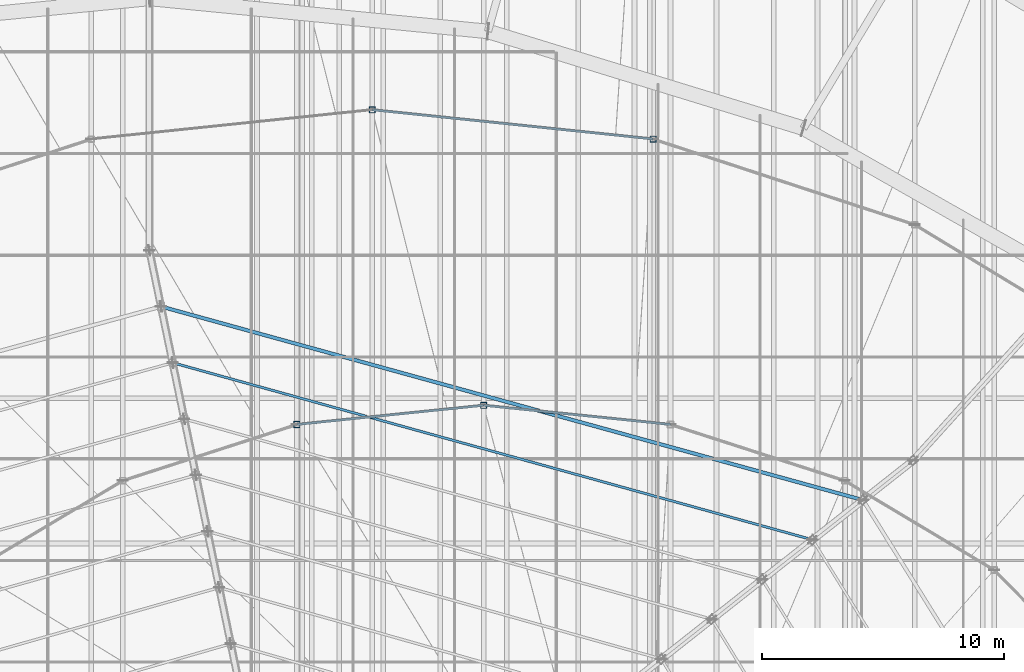
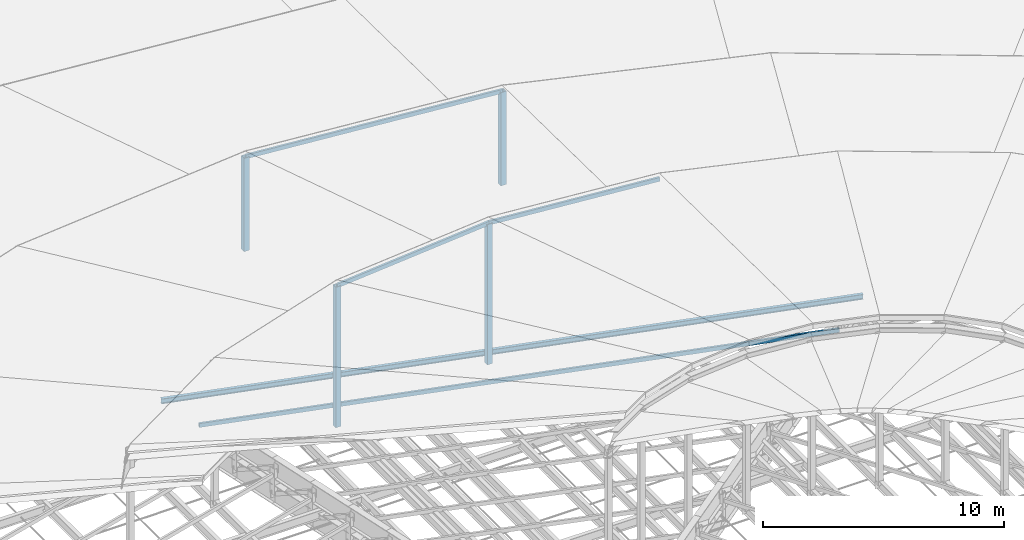
# One storey, part 118 of 184: 9 members.
"""IFC4 building model written with IfcOpenShell, lengths in metres."""

from ifc_helpers import new_model, si_unit, direction, frame, origin, origin_2d, place, context, subcontext, project, spatial, hollow_rectangle, i_section, extrude, material, material_profile, profile_set, type_object, element, save


model = new_model("IFC4")

# Units and contexts
model_context = context("Model", 3, precision=1e-05, world=origin(), true_north=direction((0.0, 1.0)))
body_context = subcontext(model_context, "Body", "Model", "MODEL_VIEW")
ifc_project = project(units=[si_unit("LENGTHUNIT", "METRE"), si_unit("AREAUNIT", "SQUARE_METRE"), si_unit("VOLUMEUNIT", "CUBIC_METRE"), si_unit("PLANEANGLEUNIT", "RADIAN"), si_unit("MASSUNIT", "GRAM", prefix="KILO")], contexts=[model_context])

# Site, building, storey
site_placement = place(None, origin())
site = spatial("IfcSite", under=ifc_project, at=site_placement, CompositionType="ELEMENT")
building_placement = place(site_placement, origin())
building = spatial("IfcBuilding", under=site, at=building_placement, Name="Kalgoora Escarpment Arena", CompositionType="ELEMENT")
storey_placement = place(building_placement, frame((0.0, 0.0, 27.60009765625)))
storey = spatial("IfcBuildingStorey", under=building, at=storey_placement, Name="Roof Level", CompositionType="ELEMENT", Elevation=27.60009765625)

# Members
ifc_material_1 = material(Name="Structural steel C450 (450 MPa)", Category="steel")
ifc_material_profile_1 = material_profile(ifc_material_1, hollow_rectangle(XDim=0.25, YDim=0.25, WallThickness=0.012451171875, at=origin_2d()))
ifc_profile_set_1 = profile_set([ifc_material_profile_1], Name="Structural steel C450 (450 MPa)")
member_type_1 = type_object("IfcMemberType", Name="MEM-PETAL-POST", PredefinedType="POST", material=ifc_profile_set_1)
for number, where, z_axis, x_axis, name in (
    (1, (113.195068359375, 98.19384765625, -1.02001953125), (0.0, 0.0, 1.0), (1.0, 0.0, 0.0), "Petal RP3 vertical support post S06"),
    (2, (101.60009765625, 99.39990234375, -1.02001953125), (0.0, 0.0, 1.0), (1.0, 0.0, 0.0), "Petal RP3 vertical support post S07"),
):
    element("IfcMember", number, at=place(storey_placement, frame(where, z_axis=z_axis, x_axis=x_axis)), inside=storey, type_object=member_type_1, Name=name, PredefinedType="POST", context=body_context, shape_type="SweptSolid", body=[
        extrude(hollow_rectangle(XDim=0.25, YDim=0.25, WallThickness=0.012451171875, at=origin_2d()), origin(), (0.0, 0.0, 1.0), 4.724853515625),
    ])
for number, where, z_axis, x_axis, name in (
    (3, (106.199951171875, 87.199951171875, -0.960205078125), (0.0, 0.0, 1.0), (1.0, 0.0, 0.0), "Petal RP4 vertical support post S07"),
    (4, (98.4873046875, 86.409423828125, -0.960205078125), (0.0, 0.0, 1.0), (1.0, 0.0, 0.0), "Petal RP4 vertical support post S08"),
):
    element("IfcMember", number, at=place(storey_placement, frame(where, z_axis=z_axis, x_axis=x_axis)), inside=storey, type_object=member_type_1, Name=name, PredefinedType="POST", context=body_context, shape_type="SweptSolid", body=[
        extrude(hollow_rectangle(XDim=0.25, YDim=0.25, WallThickness=0.012451171875, at=origin_2d()), origin(), (0.0, 0.0, 1.0), 7.105224609375),
    ])
ifc_material_2 = material(Name="Structural steel C350 (350 MPa)", Category="steel")
ifc_material_profile_2 = material_profile(ifc_material_2, hollow_rectangle(XDim=0.10009765625, YDim=0.199951171875, WallThickness=0.009033203125, at=origin_2d()))
ifc_profile_set_2 = profile_set([ifc_material_profile_2], Name="Structural steel C350 (350 MPa)")
member_type_2 = type_object("IfcMemberType", Name="MEM-PURLIN-RHS", PredefinedType="PURLIN", material=ifc_profile_set_2)
member_1_placement = place(storey_placement, frame((119.777587890625, 81.6494140625, -0.68017578125), z_axis=(-0.963777515171, 0.266707520048, 0.0), x_axis=(-0.266707520048, -0.963777515171, 0.0)))
element("IfcMember", 5, at=member_1_placement, inside=storey, type_object=member_type_2, Name="Roof circumferential purlin ring 3 sector 2", PredefinedType="PURLIN", context=body_context, shape_type="SweptSolid", body=[
    extrude(hollow_rectangle(XDim=0.10009765625, YDim=0.199951171875, WallThickness=0.009033203125, at=origin_2d()), origin(), (0.0, 0.0, 1.0), 27.410400390625),
])
member_2_placement = place(storey_placement, frame((113.195068359375, 98.19384765625, 3.684814453125), z_axis=(-0.994633909225, 0.10345717288, 0.0), x_axis=(-0.10345717288, -0.994633909225, 0.0)))
element("IfcMember", 6, at=member_2_placement, inside=storey, type_object=member_type_2, Name="Petal RP3 eave support ring purlin S06", PredefinedType="PURLIN", context=body_context, shape_type="SweptSolid", body=[
    extrude(hollow_rectangle(XDim=0.10009765625, YDim=0.199951171875, WallThickness=0.009033203125, at=origin_2d()), origin(), (0.0, 0.0, 1.0), 11.657470703125),
])
member_3_placement = place(storey_placement, frame((113.912841796875, 86.409423828125, 6.125), z_axis=(-0.994788483788, 0.101960151637, 0.0), x_axis=(-0.101960151637, -0.994788483788, 0.0)))
element("IfcMember", 7, at=member_3_placement, inside=storey, type_object=member_type_2, Name="Petal RP4 eave support ring purlin S06", PredefinedType="PURLIN", context=body_context, shape_type="SweptSolid", body=[
    extrude(hollow_rectangle(XDim=0.10009765625, YDim=0.199951171875, WallThickness=0.009033203125, at=origin_2d()), origin(), (0.0, 0.0, 1.0), 7.75341796875),
])
member_4_placement = place(storey_placement, frame((106.199951171875, 87.199951171875, 6.125), z_axis=(-0.994788156421, -0.101963345589, 0.0), x_axis=(0.101963345589, -0.994788156421, 0.0)))
element("IfcMember", 8, at=member_4_placement, inside=storey, type_object=member_type_2, Name="Petal RP4 eave support ring purlin S07", PredefinedType="PURLIN", context=body_context, shape_type="SweptSolid", body=[
    extrude(hollow_rectangle(XDim=0.10009765625, YDim=0.199951171875, WallThickness=0.009033203125, at=origin_2d()), origin(), (0.0, 0.0, 1.0), 7.753173828125),
])
ifc_material_3 = material(Name="Structural steel AS/NZS 3679 (300 MPa)", Category="steel")
ifc_material_profile_3 = material_profile(ifc_material_3, i_section(OverallWidth=0.14599609375, OverallDepth=0.256103515625, WebThickness=0.00634765625, FlangeThickness=0.010986328125, at=origin_2d()))
ifc_profile_set_3 = profile_set([ifc_material_profile_3], Name="Structural steel AS/NZS 3679 (300 MPa)")
member_type_3 = type_object("IfcMemberType", Name="MEM-PURLIN-UB", PredefinedType="PURLIN", material=ifc_profile_set_3)
member_5_placement = place(storey_placement, frame((121.857421875, 83.289794921875, -0.690185546875), z_axis=(-0.964023053894, 0.26581864412, 0.0), x_axis=(-0.26581864412, -0.964023053894, 0.0)))
element("IfcMember", 9, at=member_5_placement, inside=storey, type_object=member_type_3, Name="Roof circumferential purlin ring 2 sector 2", PredefinedType="PURLIN", context=body_context, shape_type="SweptSolid", body=[
    extrude(i_section(OverallWidth=0.14599609375, OverallDepth=0.256103515625, WebThickness=0.00634765625, FlangeThickness=0.010986328125, at=origin_2d()), origin(), (0.0, 0.0, 1.0), 30.05908203125),
])

save(model, "model.ifc")
